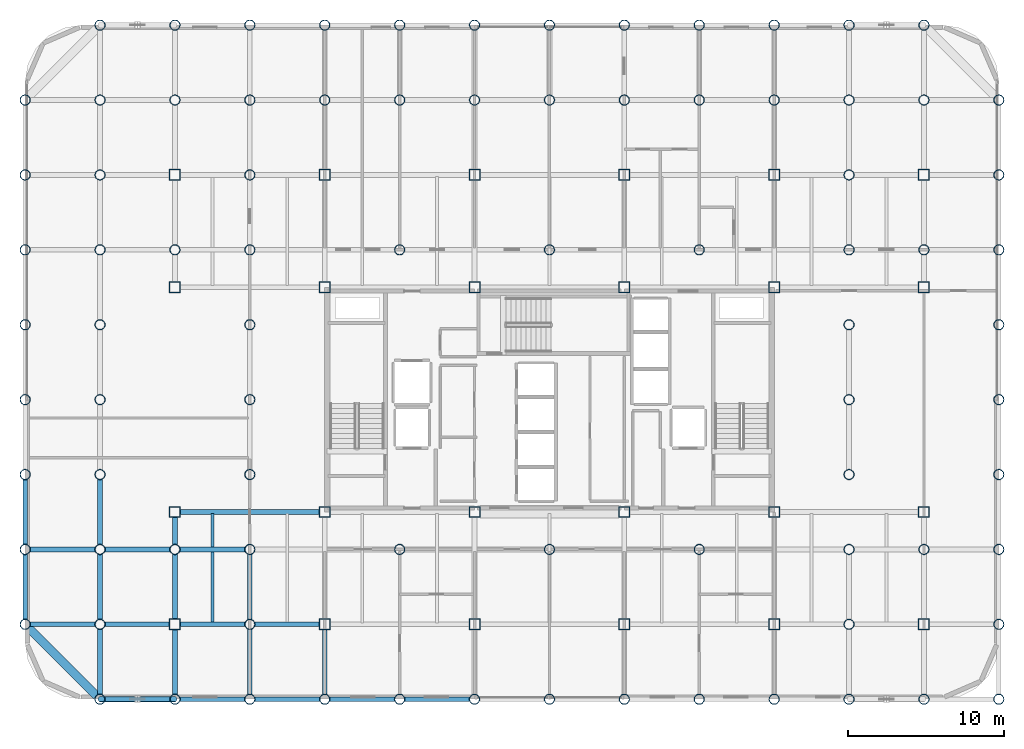
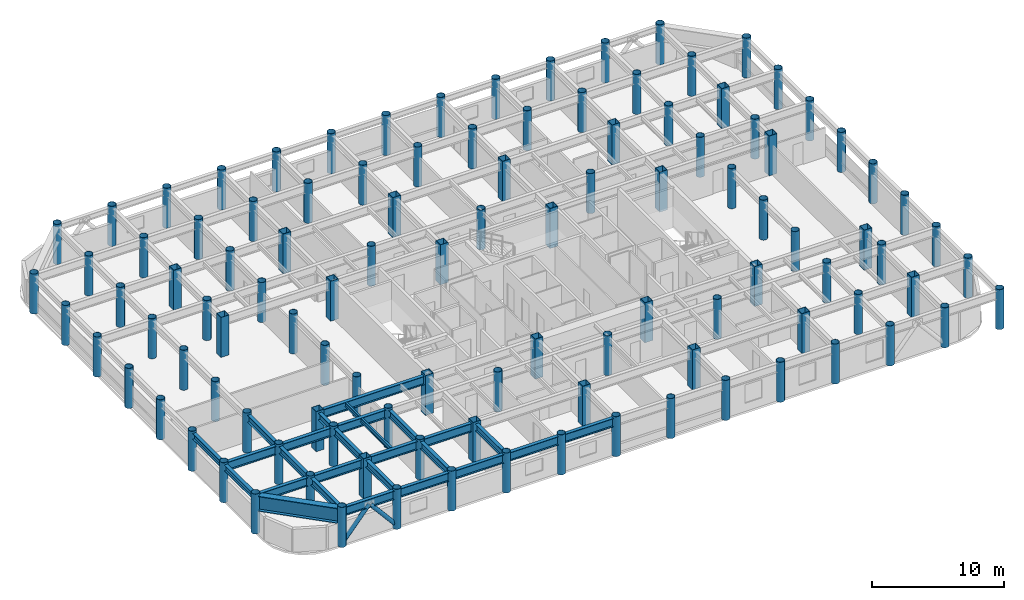
# One storey, part 1 of 20: 108 columns, 26 beams, 2 members.
"""IFC4 building model written with IfcOpenShell, lengths in metres."""

from ifc_helpers import new_model, si_unit, direction, frame, origin, origin_2d, place, context, subcontext, project, spatial, hollow_rectangle, hollow_circle, i_section, extrude, material, material_profile, profile_set, type_object, element, save


model = new_model("IFC4")

# Units and contexts
model_context = context("Model", 3, precision=1e-05, world=origin(), true_north=direction((0.0, 1.0)))
body_context = subcontext(model_context, "Body", "Model", "MODEL_VIEW")
ifc_project = project(units=[si_unit("LENGTHUNIT", "METRE"), si_unit("AREAUNIT", "SQUARE_METRE"), si_unit("VOLUMEUNIT", "CUBIC_METRE"), si_unit("PLANEANGLEUNIT", "RADIAN"), si_unit("MASSUNIT", "GRAM", prefix="KILO")], contexts=[model_context])

# Site, building, storey
site_placement = place(None, origin())
site = spatial("IfcSite", under=ifc_project, at=site_placement, CompositionType="ELEMENT")
building_placement = place(site_placement, origin())
building = spatial("IfcBuilding", under=site, at=building_placement, Name="Kallvorn Hotel Tower", CompositionType="ELEMENT")
storey_placement = place(building_placement, frame((0.0, 0.0, 135.89990234375)))
storey = spatial("IfcBuildingStorey", under=building, at=storey_placement, Name="L33", CompositionType="ELEMENT", Elevation=135.89990234375)

# Columns
ifc_material_1 = material(Name="Structural steel S355J2H", Category="steel")
ifc_material_profile_1 = material_profile(ifc_material_1, hollow_circle(Radius=0.330078125, WallThickness=0.028076171875, at=origin_2d()), Name="CHS 660x28")
ifc_profile_set_1 = profile_set([ifc_material_profile_1], Name="Structural steel S355J2H")
column_type_1 = type_object("IfcColumnType", Name="COL_CHS_660", PredefinedType="COLUMN", material=ifc_profile_set_1)
for number, where, z_axis, x_axis, name in (
    (1, (-33.60009765625, -14.39990234375, 0.0), (0.0, 0.0, 1.0), (1.0, 0.0, 0.0), "L33 Exoskeleton Column EC01"),
    (2, (-33.60009765625, -9.60009765625, 0.0), (0.0, 0.0, 1.0), (1.0, 0.0, 0.0), "L33 Exoskeleton Column EC02"),
    (3, (-33.60009765625, -4.800048828125, 0.0), (0.0, 0.0, 1.0), (1.0, 0.0, 0.0), "L33 Exoskeleton Column EC03"),
    (4, (-33.60009765625, 0.0, 0.0), (0.0, 0.0, 1.0), (1.0, 0.0, 0.0), "L33 Exoskeleton Column EC04"),
    (5, (-33.60009765625, 4.800048828125, 0.0), (0.0, 0.0, 1.0), (1.0, 0.0, 0.0), "L33 Exoskeleton Column EC05"),
    (6, (-33.60009765625, 9.60009765625, 0.0), (0.0, 0.0, 1.0), (1.0, 0.0, 0.0), "L33 Exoskeleton Column EC06"),
    (7, (-33.60009765625, 14.39990234375, 0.0), (0.0, 0.0, 1.0), (1.0, 0.0, 0.0), "L33 Exoskeleton Column EC07"),
    (8, (-33.60009765625, 19.199951171875, 0.0), (0.0, 0.0, 1.0), (1.0, 0.0, 0.0), "L33 Exoskeleton Column EC08"),
    (9, (-28.800048828125, -19.199951171875, 0.0), (0.0, 0.0, 1.0), (1.0, 0.0, 0.0), "L33 Exoskeleton Column EC09"),
    (10, (-28.800048828125, -14.39990234375, 0.0), (0.0, 0.0, 1.0), (1.0, 0.0, 0.0), "L33 Exoskeleton Column EC10"),
    (11, (-28.800048828125, -9.60009765625, 0.0), (0.0, 0.0, 1.0), (1.0, 0.0, 0.0), "L33 Exoskeleton Column EC11"),
    (12, (-28.800048828125, -4.800048828125, 0.0), (0.0, 0.0, 1.0), (1.0, 0.0, 0.0), "L33 Exoskeleton Column EC12"),
    (13, (-28.800048828125, 0.0, 0.0), (0.0, 0.0, 1.0), (1.0, 0.0, 0.0), "L33 Exoskeleton Column EC13"),
    (14, (-28.800048828125, 4.800048828125, 0.0), (0.0, 0.0, 1.0), (1.0, 0.0, 0.0), "L33 Exoskeleton Column EC14"),
    (15, (-28.800048828125, 9.60009765625, 0.0), (0.0, 0.0, 1.0), (1.0, 0.0, 0.0), "L33 Exoskeleton Column EC15"),
    (16, (-28.800048828125, 14.39990234375, 0.0), (0.0, 0.0, 1.0), (1.0, 0.0, 0.0), "L33 Exoskeleton Column EC16"),
    (17, (-28.800048828125, 19.199951171875, 0.0), (0.0, 0.0, 1.0), (1.0, 0.0, 0.0), "L33 Exoskeleton Column EC17"),
    (18, (-28.800048828125, 24.0, 0.0), (0.0, 0.0, 1.0), (1.0, 0.0, 0.0), "L33 Exoskeleton Column EC18"),
    (19, (-24.0, -19.199951171875, 0.0), (0.0, 0.0, 1.0), (1.0, 0.0, 0.0), "L33 Exoskeleton Column EC19"),
    (20, (-24.0, -9.60009765625, 0.0), (0.0, 0.0, 1.0), (1.0, 0.0, 0.0), "L33 Exoskeleton Column EC20"),
    (21, (-24.0, 9.60009765625, 0.0), (0.0, 0.0, 1.0), (1.0, 0.0, 0.0), "L33 Exoskeleton Column EC21"),
    (22, (-24.0, 19.199951171875, 0.0), (0.0, 0.0, 1.0), (1.0, 0.0, 0.0), "L33 Exoskeleton Column EC22"),
    (23, (-24.0, 24.0, 0.0), (0.0, 0.0, 1.0), (1.0, 0.0, 0.0), "L33 Exoskeleton Column EC23"),
    (24, (-19.199951171875, -19.199951171875, 0.0), (0.0, 0.0, 1.0), (1.0, 0.0, 0.0), "L33 Exoskeleton Column EC24"),
    (25, (-19.199951171875, -14.39990234375, 0.0), (0.0, 0.0, 1.0), (1.0, 0.0, 0.0), "L33 Exoskeleton Column EC25"),
    (26, (-19.199951171875, -9.60009765625, 0.0), (0.0, 0.0, 1.0), (1.0, 0.0, 0.0), "L33 Exoskeleton Column EC26"),
    (27, (-19.199951171875, -4.800048828125, 0.0), (0.0, 0.0, 1.0), (1.0, 0.0, 0.0), "L33 Exoskeleton Column EC27"),
    (28, (-19.199951171875, 0.0, 0.0), (0.0, 0.0, 1.0), (1.0, 0.0, 0.0), "L33 Exoskeleton Column EC28"),
    (29, (-19.199951171875, 4.800048828125, 0.0), (0.0, 0.0, 1.0), (1.0, 0.0, 0.0), "L33 Exoskeleton Column EC29"),
    (30, (-19.199951171875, 9.60009765625, 0.0), (0.0, 0.0, 1.0), (1.0, 0.0, 0.0), "L33 Exoskeleton Column EC30"),
    (31, (-19.199951171875, 14.39990234375, 0.0), (0.0, 0.0, 1.0), (1.0, 0.0, 0.0), "L33 Exoskeleton Column EC31"),
    (32, (-19.199951171875, 19.199951171875, 0.0), (0.0, 0.0, 1.0), (1.0, 0.0, 0.0), "L33 Exoskeleton Column EC32"),
    (33, (-19.199951171875, 24.0, 0.0), (0.0, 0.0, 1.0), (1.0, 0.0, 0.0), "L33 Exoskeleton Column EC33"),
    (34, (-14.39990234375, -19.199951171875, 0.0), (0.0, 0.0, 1.0), (1.0, 0.0, 0.0), "L33 Exoskeleton Column EC34"),
    (35, (-14.39990234375, 19.199951171875, 0.0), (0.0, 0.0, 1.0), (1.0, 0.0, 0.0), "L33 Exoskeleton Column EC35"),
    (36, (-14.39990234375, 24.0, 0.0), (0.0, 0.0, 1.0), (1.0, 0.0, 0.0), "L33 Exoskeleton Column EC36"),
    (37, (-9.60009765625, -19.199951171875, 0.0), (0.0, 0.0, 1.0), (1.0, 0.0, 0.0), "L33 Exoskeleton Column EC37"),
    (38, (-9.60009765625, -9.60009765625, 0.0), (0.0, 0.0, 1.0), (1.0, 0.0, 0.0), "L33 Exoskeleton Column EC38"),
    (39, (-9.60009765625, 9.60009765625, 0.0), (0.0, 0.0, 1.0), (1.0, 0.0, 0.0), "L33 Exoskeleton Column EC39"),
    (40, (-9.60009765625, 19.199951171875, 0.0), (0.0, 0.0, 1.0), (1.0, 0.0, 0.0), "L33 Exoskeleton Column EC40"),
    (41, (-9.60009765625, 24.0, 0.0), (0.0, 0.0, 1.0), (1.0, 0.0, 0.0), "L33 Exoskeleton Column EC41"),
    (42, (-4.800048828125, -19.199951171875, 0.0), (0.0, 0.0, 1.0), (1.0, 0.0, 0.0), "L33 Exoskeleton Column EC42"),
    (43, (-4.800048828125, 19.199951171875, 0.0), (0.0, 0.0, 1.0), (1.0, 0.0, 0.0), "L33 Exoskeleton Column EC43"),
    (44, (-4.800048828125, 24.0, 0.0), (0.0, 0.0, 1.0), (1.0, 0.0, 0.0), "L33 Exoskeleton Column EC44"),
    (45, (0.0, -19.199951171875, 0.0), (0.0, 0.0, 1.0), (1.0, 0.0, 0.0), "L33 Exoskeleton Column EC45"),
    (46, (0.0, -9.60009765625, 0.0), (0.0, 0.0, 1.0), (1.0, 0.0, 0.0), "L33 Exoskeleton Column EC46"),
    (47, (0.0, 9.60009765625, 0.0), (0.0, 0.0, 1.0), (1.0, 0.0, 0.0), "L33 Exoskeleton Column EC47"),
    (48, (0.0, 19.199951171875, 0.0), (0.0, 0.0, 1.0), (1.0, 0.0, 0.0), "L33 Exoskeleton Column EC48"),
    (49, (0.0, 24.0, 0.0), (0.0, 0.0, 1.0), (1.0, 0.0, 0.0), "L33 Exoskeleton Column EC49"),
    (50, (4.800048828125, -19.199951171875, 0.0), (0.0, 0.0, 1.0), (1.0, 0.0, 0.0), "L33 Exoskeleton Column EC50"),
    (51, (4.800048828125, 19.199951171875, 0.0), (0.0, 0.0, 1.0), (1.0, 0.0, 0.0), "L33 Exoskeleton Column EC51"),
    (52, (4.800048828125, 24.0, 0.0), (0.0, 0.0, 1.0), (1.0, 0.0, 0.0), "L33 Exoskeleton Column EC52"),
    (53, (9.60009765625, -19.199951171875, 0.0), (0.0, 0.0, 1.0), (1.0, 0.0, 0.0), "L33 Exoskeleton Column EC53"),
    (54, (9.60009765625, -9.60009765625, 0.0), (0.0, 0.0, 1.0), (1.0, 0.0, 0.0), "L33 Exoskeleton Column EC54"),
    (55, (9.60009765625, 9.60009765625, 0.0), (0.0, 0.0, 1.0), (1.0, 0.0, 0.0), "L33 Exoskeleton Column EC55"),
    (56, (9.60009765625, 19.199951171875, 0.0), (0.0, 0.0, 1.0), (1.0, 0.0, 0.0), "L33 Exoskeleton Column EC56"),
    (57, (9.60009765625, 24.0, 0.0), (0.0, 0.0, 1.0), (1.0, 0.0, 0.0), "L33 Exoskeleton Column EC57"),
    (58, (14.39990234375, -19.199951171875, 0.0), (0.0, 0.0, 1.0), (1.0, 0.0, 0.0), "L33 Exoskeleton Column EC58"),
    (59, (14.39990234375, 19.199951171875, 0.0), (0.0, 0.0, 1.0), (1.0, 0.0, 0.0), "L33 Exoskeleton Column EC59"),
    (60, (14.39990234375, 24.0, 0.0), (0.0, 0.0, 1.0), (1.0, 0.0, 0.0), "L33 Exoskeleton Column EC60"),
    (61, (19.199951171875, -19.199951171875, 0.0), (0.0, 0.0, 1.0), (1.0, 0.0, 0.0), "L33 Exoskeleton Column EC61"),
    (62, (19.199951171875, -14.39990234375, 0.0), (0.0, 0.0, 1.0), (1.0, 0.0, 0.0), "L33 Exoskeleton Column EC62"),
    (63, (19.199951171875, -9.60009765625, 0.0), (0.0, 0.0, 1.0), (1.0, 0.0, 0.0), "L33 Exoskeleton Column EC63"),
    (64, (19.199951171875, -4.800048828125, 0.0), (0.0, 0.0, 1.0), (1.0, 0.0, 0.0), "L33 Exoskeleton Column EC64"),
    (65, (19.199951171875, 0.0, 0.0), (0.0, 0.0, 1.0), (1.0, 0.0, 0.0), "L33 Exoskeleton Column EC65"),
    (66, (19.199951171875, 4.800048828125, 0.0), (0.0, 0.0, 1.0), (1.0, 0.0, 0.0), "L33 Exoskeleton Column EC66"),
    (67, (19.199951171875, 9.60009765625, 0.0), (0.0, 0.0, 1.0), (1.0, 0.0, 0.0), "L33 Exoskeleton Column EC67"),
    (68, (19.199951171875, 14.39990234375, 0.0), (0.0, 0.0, 1.0), (1.0, 0.0, 0.0), "L33 Exoskeleton Column EC68"),
    (69, (19.199951171875, 19.199951171875, 0.0), (0.0, 0.0, 1.0), (1.0, 0.0, 0.0), "L33 Exoskeleton Column EC69"),
    (70, (19.199951171875, 24.0, 0.0), (0.0, 0.0, 1.0), (1.0, 0.0, 0.0), "L33 Exoskeleton Column EC70"),
    (71, (24.0, -19.199951171875, 0.0), (0.0, 0.0, 1.0), (1.0, 0.0, 0.0), "L33 Exoskeleton Column EC71"),
    (72, (24.0, -9.60009765625, 0.0), (0.0, 0.0, 1.0), (1.0, 0.0, 0.0), "L33 Exoskeleton Column EC72"),
    (73, (24.0, 9.60009765625, 0.0), (0.0, 0.0, 1.0), (1.0, 0.0, 0.0), "L33 Exoskeleton Column EC73"),
    (74, (24.0, 19.199951171875, 0.0), (0.0, 0.0, 1.0), (1.0, 0.0, 0.0), "L33 Exoskeleton Column EC74"),
    (75, (24.0, 24.0, 0.0), (0.0, 0.0, 1.0), (1.0, 0.0, 0.0), "L33 Exoskeleton Column EC75"),
    (76, (28.800048828125, -19.199951171875, 0.0), (0.0, 0.0, 1.0), (1.0, 0.0, 0.0), "L33 Exoskeleton Column EC76"),
    (77, (28.800048828125, -14.39990234375, 0.0), (0.0, 0.0, 1.0), (1.0, 0.0, 0.0), "L33 Exoskeleton Column EC77"),
    (78, (28.800048828125, -9.60009765625, 0.0), (0.0, 0.0, 1.0), (1.0, 0.0, 0.0), "L33 Exoskeleton Column EC78"),
    (79, (28.800048828125, -4.800048828125, 0.0), (0.0, 0.0, 1.0), (1.0, 0.0, 0.0), "L33 Exoskeleton Column EC79"),
    (80, (28.800048828125, 0.0, 0.0), (0.0, 0.0, 1.0), (1.0, 0.0, 0.0), "L33 Exoskeleton Column EC80"),
    (81, (28.800048828125, 4.800048828125, 0.0), (0.0, 0.0, 1.0), (1.0, 0.0, 0.0), "L33 Exoskeleton Column EC81"),
    (82, (28.800048828125, 9.60009765625, 0.0), (0.0, 0.0, 1.0), (1.0, 0.0, 0.0), "L33 Exoskeleton Column EC82"),
    (83, (28.800048828125, 14.39990234375, 0.0), (0.0, 0.0, 1.0), (1.0, 0.0, 0.0), "L33 Exoskeleton Column EC83"),
    (84, (28.800048828125, 19.199951171875, 0.0), (0.0, 0.0, 1.0), (1.0, 0.0, 0.0), "L33 Exoskeleton Column EC84"),
):
    element("IfcColumn", number, at=place(storey_placement, frame(where, z_axis=z_axis, x_axis=x_axis)), inside=storey, type_object=column_type_1, Name=name, PredefinedType="COLUMN", context=body_context, shape_type="SweptSolid", body=[
        extrude(hollow_circle(Radius=0.330078125, WallThickness=0.028076171875, at=origin_2d()), origin(), (0.0, 0.0, 1.0), 3.7001953125),
    ])
ifc_material_2 = material(Name="Structural steel S355J2H", Category="steel")
ifc_material_profile_2 = material_profile(ifc_material_2, hollow_rectangle(XDim=0.699951171875, YDim=0.699951171875, WallThickness=0.031982421875, at=origin_2d()), Name="RHS 700x700x32")
ifc_profile_set_2 = profile_set([ifc_material_profile_2], Name="Structural steel S355J2H")
column_type_2 = type_object("IfcColumnType", Name="COL_RHS_700", PredefinedType="COLUMN", material=ifc_profile_set_2)
for number, where, z_axis, x_axis, name in (
    (85, (-24.0, -14.39990234375, 0.0), (0.0, 0.0, 1.0), (1.0, 0.0, 0.0), "L33 Inner Column IC01"),
    (86, (-24.0, -7.199951171875, 0.0), (0.0, 0.0, 1.0), (1.0, 0.0, 0.0), "L33 Inner Column IC02"),
    (87, (-24.0, 7.199951171875, 0.0), (0.0, 0.0, 1.0), (1.0, 0.0, 0.0), "L33 Inner Column IC03"),
    (88, (-24.0, 14.39990234375, 0.0), (0.0, 0.0, 1.0), (1.0, 0.0, 0.0), "L33 Inner Column IC04"),
    (89, (-14.39990234375, -14.39990234375, 0.0), (0.0, 0.0, 1.0), (1.0, 0.0, 0.0), "L33 Inner Column IC05"),
    (90, (-14.39990234375, -7.199951171875, 0.0), (0.0, 0.0, 1.0), (1.0, 0.0, 0.0), "L33 Inner Column IC06"),
    (91, (-14.39990234375, 7.199951171875, 0.0), (0.0, 0.0, 1.0), (1.0, 0.0, 0.0), "L33 Inner Column IC07"),
    (92, (-14.39990234375, 14.39990234375, 0.0), (0.0, 0.0, 1.0), (1.0, 0.0, 0.0), "L33 Inner Column IC08"),
    (93, (-4.800048828125, -14.39990234375, 0.0), (0.0, 0.0, 1.0), (1.0, 0.0, 0.0), "L33 Inner Column IC09"),
    (94, (-4.800048828125, -7.199951171875, 0.0), (0.0, 0.0, 1.0), (1.0, 0.0, 0.0), "L33 Inner Column IC10"),
    (95, (-4.800048828125, 7.199951171875, 0.0), (0.0, 0.0, 1.0), (1.0, 0.0, 0.0), "L33 Inner Column IC11"),
    (96, (-4.800048828125, 14.39990234375, 0.0), (0.0, 0.0, 1.0), (1.0, 0.0, 0.0), "L33 Inner Column IC12"),
    (97, (4.800048828125, -14.39990234375, 0.0), (0.0, 0.0, 1.0), (1.0, 0.0, 0.0), "L33 Inner Column IC13"),
    (98, (4.800048828125, -7.199951171875, 0.0), (0.0, 0.0, 1.0), (1.0, 0.0, 0.0), "L33 Inner Column IC14"),
    (99, (4.800048828125, 7.199951171875, 0.0), (0.0, 0.0, 1.0), (1.0, 0.0, 0.0), "L33 Inner Column IC15"),
    (100, (4.800048828125, 14.39990234375, 0.0), (0.0, 0.0, 1.0), (1.0, 0.0, 0.0), "L33 Inner Column IC16"),
    (101, (14.39990234375, -14.39990234375, 0.0), (0.0, 0.0, 1.0), (1.0, 0.0, 0.0), "L33 Inner Column IC17"),
    (102, (14.39990234375, -7.199951171875, 0.0), (0.0, 0.0, 1.0), (1.0, 0.0, 0.0), "L33 Inner Column IC18"),
    (103, (14.39990234375, 7.199951171875, 0.0), (0.0, 0.0, 1.0), (1.0, 0.0, 0.0), "L33 Inner Column IC19"),
    (104, (14.39990234375, 14.39990234375, 0.0), (0.0, 0.0, 1.0), (1.0, 0.0, 0.0), "L33 Inner Column IC20"),
    (105, (24.0, -14.39990234375, 0.0), (0.0, 0.0, 1.0), (1.0, 0.0, 0.0), "L33 Inner Column IC21"),
    (106, (24.0, -7.199951171875, 0.0), (0.0, 0.0, 1.0), (1.0, 0.0, 0.0), "L33 Inner Column IC22"),
    (107, (24.0, 7.199951171875, 0.0), (0.0, 0.0, 1.0), (1.0, 0.0, 0.0), "L33 Inner Column IC23"),
    (108, (24.0, 14.39990234375, 0.0), (0.0, 0.0, 1.0), (1.0, 0.0, 0.0), "L33 Inner Column IC24"),
):
    element("IfcColumn", number, at=place(storey_placement, frame(where, z_axis=z_axis, x_axis=x_axis)), inside=storey, type_object=column_type_2, Name=name, PredefinedType="COLUMN", context=body_context, shape_type="SweptSolid", body=[
        extrude(hollow_rectangle(XDim=0.699951171875, YDim=0.699951171875, WallThickness=0.031982421875, at=origin_2d()), origin(), (0.0, 0.0, 1.0), 3.7001953125),
    ])

# Beams
ifc_material_3 = material(Name="Structural steel S355JR", Category="steel")
ifc_material_profile_3 = material_profile(ifc_material_3, i_section(OverallWidth=0.300048828125, OverallDepth=0.550048828125, WebThickness=0.014892578125, FlangeThickness=0.029052734375, at=origin_2d()), Name="HE 550 B")
ifc_profile_set_3 = profile_set([ifc_material_profile_3], Name="Structural steel S355JR")
beam_type_1 = type_object("IfcBeamType", Name="BM_HE550B", PredefinedType="SPANDREL", material=ifc_profile_set_3)
beam_1_placement = place(storey_placement, frame((-33.60009765625, -14.080078125, 3.2451171875), z_axis=(0.0, 1.0, 0.0), x_axis=(-1.0, 0.0, 0.0)))
element("IfcBeam", 109, at=beam_1_placement, inside=storey, type_object=beam_type_1, Name="L34 Perimeter Spandrel 174", PredefinedType="SPANDREL", context=body_context, shape_type="SweptSolid", body=[
    extrude(i_section(OverallWidth=0.300048828125, OverallDepth=0.550048828125, WebThickness=0.014892578125, FlangeThickness=0.029052734375, at=origin_2d()), origin(), (0.0, 0.0, 1.0), 4.16015625),
])
beam_2_placement = place(storey_placement, frame((-33.60009765625, -9.280029296875, 3.2451171875), z_axis=(0.0, 1.0, 0.0), x_axis=(-1.0, 0.0, 0.0)))
element("IfcBeam", 110, at=beam_2_placement, inside=storey, type_object=beam_type_1, Name="L34 Perimeter Spandrel 175", PredefinedType="SPANDREL", context=body_context, shape_type="SweptSolid", body=[
    extrude(i_section(OverallWidth=0.300048828125, OverallDepth=0.550048828125, WebThickness=0.014892578125, FlangeThickness=0.029052734375, at=origin_2d()), origin(), (0.0, 0.0, 1.0), 4.159912109375),
])
ifc_material_4 = material(Name="Structural steel S355JR", Category="steel")
ifc_material_profile_4 = material_profile(ifc_material_4, i_section(OverallWidth=0.300048828125, OverallDepth=0.64990234375, WebThickness=0.01611328125, FlangeThickness=0.031005859375, at=origin_2d()), Name="HE 650 B")
ifc_profile_set_4 = profile_set([ifc_material_profile_4], Name="Structural steel S355JR")
beam_type_2 = type_object("IfcBeamType", Name="BM_HE650B", PredefinedType="BEAM", material=ifc_profile_set_4)
for number, where, z_axis, x_axis, name in (
    (111, (-28.800048828125, -18.89501953125, 3.195068359375), (0.0, 1.0, 0.0), (-1.0, 0.0, 0.0), "L34 Primary Y-Girder 73"),
    (112, (-28.800048828125, -14.094970703125, 3.195068359375), (0.0, 1.0, 0.0), (-1.0, 0.0, 0.0), "L34 Primary Y-Girder 74"),
    (113, (-28.800048828125, -9.294921875, 3.195068359375), (0.0, 1.0, 0.0), (-1.0, 0.0, 0.0), "L34 Primary Y-Girder 75"),
):
    element("IfcBeam", number, at=place(storey_placement, frame(where, z_axis=z_axis, x_axis=x_axis)), inside=storey, type_object=beam_type_2, Name=name, PredefinedType="BEAM", context=body_context, shape_type="SweptSolid", body=[
        extrude(i_section(OverallWidth=0.300048828125, OverallDepth=0.64990234375, WebThickness=0.01611328125, FlangeThickness=0.031005859375, at=origin_2d()), origin(), (0.0, 0.0, 1.0), 4.18994140625),
    ])
for number, where, z_axis, x_axis, name in (
    (114, (-24.0, -18.89501953125, 3.195068359375), (0.0, 1.0, 0.0), (-1.0, 0.0, 0.0), "L34 Primary Y-Girder 82"),
    (115, (-24.0, -14.074951171875, 3.195068359375), (0.0, 1.0, 0.0), (-1.0, 0.0, 0.0), "L34 Primary Y-Girder 83"),
):
    element("IfcBeam", number, at=place(storey_placement, frame(where, z_axis=z_axis, x_axis=x_axis)), inside=storey, type_object=beam_type_2, Name=name, PredefinedType="BEAM", context=body_context, shape_type="SweptSolid", body=[
        extrude(i_section(OverallWidth=0.300048828125, OverallDepth=0.64990234375, WebThickness=0.01611328125, FlangeThickness=0.031005859375, at=origin_2d()), origin(), (0.0, 0.0, 1.0), 4.169921875),
    ])
beam_3_placement = place(storey_placement, frame((-24.0, -9.294921875, 3.195068359375), z_axis=(0.0, 1.0, 0.0), x_axis=(-1.0, 0.0, 0.0)))
element("IfcBeam", 116, at=beam_3_placement, inside=storey, type_object=beam_type_2, Name="L34 Primary Y-Girder 84", PredefinedType="BEAM", context=body_context, shape_type="SweptSolid", body=[
    extrude(i_section(OverallWidth=0.300048828125, OverallDepth=0.64990234375, WebThickness=0.01611328125, FlangeThickness=0.031005859375, at=origin_2d()), origin(), (0.0, 0.0, 1.0), 1.77001953125),
])
for number, where, z_axis, x_axis, name in (
    (117, (-19.199951171875, -18.89501953125, 3.195068359375), (0.0, 1.0, 0.0), (-1.0, 0.0, 0.0), "L34 Primary Y-Girder 89"),
    (118, (-19.199951171875, -14.094970703125, 3.195068359375), (0.0, 1.0, 0.0), (-1.0, 0.0, 0.0), "L34 Primary Y-Girder 90"),
):
    element("IfcBeam", number, at=place(storey_placement, frame(where, z_axis=z_axis, x_axis=x_axis)), inside=storey, type_object=beam_type_2, Name=name, PredefinedType="BEAM", context=body_context, shape_type="SweptSolid", body=[
        extrude(i_section(OverallWidth=0.300048828125, OverallDepth=0.64990234375, WebThickness=0.01611328125, FlangeThickness=0.031005859375, at=origin_2d()), origin(), (0.0, 0.0, 1.0), 4.18994140625),
    ])
beam_4_placement = place(storey_placement, frame((-14.39990234375, -18.89501953125, 3.195068359375), z_axis=(0.0, 1.0, 0.0), x_axis=(-1.0, 0.0, 0.0)))
element("IfcBeam", 119, at=beam_4_placement, inside=storey, type_object=beam_type_2, Name="L34 Primary Y-Girder 98", PredefinedType="BEAM", context=body_context, shape_type="SweptSolid", body=[
    extrude(i_section(OverallWidth=0.300048828125, OverallDepth=0.64990234375, WebThickness=0.01611328125, FlangeThickness=0.031005859375, at=origin_2d()), origin(), (0.0, 0.0, 1.0), 4.169921875),
])
ifc_material_5 = material(Name="Structural steel S355JR", Category="steel")
ifc_material_profile_5 = material_profile(ifc_material_5, i_section(OverallWidth=0.300048828125, OverallDepth=0.800048828125, WebThickness=0.017578125, FlangeThickness=0.032958984375, at=origin_2d()), Name="HE 800 B")
ifc_profile_set_5 = profile_set([ifc_material_profile_5], Name="Structural steel S355JR")
beam_type_3 = type_object("IfcBeamType", Name="BM_HE800B", PredefinedType="BEAM", material=ifc_profile_set_5)
for number, where, z_axis, x_axis, name in (
    (120, (-28.4951171875, -19.199951171875, 3.1201171875), (1.0, 0.0, 0.0), (0.0, 1.0, 0.0), "L34 Primary X-Girder 01"),
    (121, (-23.695068359375, -19.199951171875, 3.1201171875), (1.0, 0.0, 0.0), (0.0, 1.0, 0.0), "L34 Primary X-Girder 02"),
):
    element("IfcBeam", number, at=place(storey_placement, frame(where, z_axis=z_axis, x_axis=x_axis)), inside=storey, type_object=beam_type_3, Name=name, PredefinedType="BEAM", context=body_context, shape_type="SweptSolid", body=[
        extrude(i_section(OverallWidth=0.300048828125, OverallDepth=0.800048828125, WebThickness=0.017578125, FlangeThickness=0.032958984375, at=origin_2d()), origin(), (0.0, 0.0, 1.0), 4.190185546875),
    ])
for number, where, z_axis, x_axis, name in (
    (122, (-18.89501953125, -19.199951171875, 3.1201171875), (1.0, 0.0, 0.0), (0.0, 1.0, 0.0), "L34 Primary X-Girder 03"),
    (123, (-14.094970703125, -19.199951171875, 3.1201171875), (1.0, 0.0, 0.0), (0.0, 1.0, 0.0), "L34 Primary X-Girder 04"),
    (124, (-9.294921875, -19.199951171875, 3.1201171875), (1.0, 0.0, 0.0), (0.0, 1.0, 0.0), "L34 Primary X-Girder 05"),
    (125, (-33.294921875, -14.39990234375, 3.1201171875), (1.0, 0.0, 0.0), (0.0, 1.0, 0.0), "L34 Primary X-Girder 13"),
):
    element("IfcBeam", number, at=place(storey_placement, frame(where, z_axis=z_axis, x_axis=x_axis)), inside=storey, type_object=beam_type_3, Name=name, PredefinedType="BEAM", context=body_context, shape_type="SweptSolid", body=[
        extrude(i_section(OverallWidth=0.300048828125, OverallDepth=0.800048828125, WebThickness=0.017578125, FlangeThickness=0.032958984375, at=origin_2d()), origin(), (0.0, 0.0, 1.0), 4.18994140625),
    ])
for number, where, z_axis, x_axis, name in (
    (126, (-28.4951171875, -14.39990234375, 3.1201171875), (1.0, 0.0, 0.0), (0.0, 1.0, 0.0), "L34 Primary X-Girder 14"),
    (127, (-23.675048828125, -14.39990234375, 3.1201171875), (1.0, 0.0, 0.0), (0.0, 1.0, 0.0), "L34 Primary X-Girder 15"),
):
    element("IfcBeam", number, at=place(storey_placement, frame(where, z_axis=z_axis, x_axis=x_axis)), inside=storey, type_object=beam_type_3, Name=name, PredefinedType="BEAM", context=body_context, shape_type="SweptSolid", body=[
        extrude(i_section(OverallWidth=0.300048828125, OverallDepth=0.800048828125, WebThickness=0.017578125, FlangeThickness=0.032958984375, at=origin_2d()), origin(), (0.0, 0.0, 1.0), 4.170166015625),
    ])
beam_5_placement = place(storey_placement, frame((-18.89501953125, -14.39990234375, 3.1201171875), z_axis=(1.0, 0.0, 0.0), x_axis=(0.0, 1.0, 0.0)))
element("IfcBeam", 128, at=beam_5_placement, inside=storey, type_object=beam_type_3, Name="L34 Primary X-Girder 16", PredefinedType="BEAM", context=body_context, shape_type="SweptSolid", body=[
    extrude(i_section(OverallWidth=0.300048828125, OverallDepth=0.800048828125, WebThickness=0.017578125, FlangeThickness=0.032958984375, at=origin_2d()), origin(), (0.0, 0.0, 1.0), 4.169921875),
])
beam_6_placement = place(storey_placement, frame((-33.294921875, -9.60009765625, 3.1201171875), z_axis=(1.0, 0.0, 0.0), x_axis=(0.0, 1.0, 0.0)))
element("IfcBeam", 129, at=beam_6_placement, inside=storey, type_object=beam_type_3, Name="L34 Primary X-Girder 23", PredefinedType="BEAM", context=body_context, shape_type="SweptSolid", body=[
    extrude(i_section(OverallWidth=0.300048828125, OverallDepth=0.800048828125, WebThickness=0.017578125, FlangeThickness=0.032958984375, at=origin_2d()), origin(), (0.0, 0.0, 1.0), 4.18994140625),
])
for number, where, z_axis, x_axis, name in (
    (130, (-28.4951171875, -9.60009765625, 3.1201171875), (1.0, 0.0, 0.0), (0.0, 1.0, 0.0), "L34 Primary X-Girder 24"),
    (131, (-23.695068359375, -9.60009765625, 3.1201171875), (1.0, 0.0, 0.0), (0.0, 1.0, 0.0), "L34 Primary X-Girder 25"),
):
    element("IfcBeam", number, at=place(storey_placement, frame(where, z_axis=z_axis, x_axis=x_axis)), inside=storey, type_object=beam_type_3, Name=name, PredefinedType="BEAM", context=body_context, shape_type="SweptSolid", body=[
        extrude(i_section(OverallWidth=0.300048828125, OverallDepth=0.800048828125, WebThickness=0.017578125, FlangeThickness=0.032958984375, at=origin_2d()), origin(), (0.0, 0.0, 1.0), 4.190185546875),
    ])
beam_7_placement = place(storey_placement, frame((-23.675048828125, -7.199951171875, 3.1201171875), z_axis=(1.0, 0.0, 0.0), x_axis=(0.0, 1.0, 0.0)))
element("IfcBeam", 132, at=beam_7_placement, inside=storey, type_object=beam_type_3, Name="L34 Primary X-Girder 32", PredefinedType="BEAM", context=body_context, shape_type="SweptSolid", body=[
    extrude(i_section(OverallWidth=0.300048828125, OverallDepth=0.800048828125, WebThickness=0.017578125, FlangeThickness=0.032958984375, at=origin_2d()), origin(), (0.0, 0.0, 1.0), 8.949951171875),
])
ifc_material_6 = material(Name="Structural steel S355JR", Category="steel")
ifc_material_profile_6 = material_profile(ifc_material_6, i_section(OverallWidth=0.179931640625, OverallDepth=0.39990234375, WebThickness=0.008544921875, FlangeThickness=0.013427734375, at=origin_2d()), Name="IPE 400")
ifc_profile_set_6 = profile_set([ifc_material_profile_6], Name="Structural steel S355JR")
beam_type_4 = type_object("IfcBeamType", Name="BM_IPE400", PredefinedType="JOIST", material=ifc_profile_set_6)
beam_8_placement = place(storey_placement, frame((-21.60009765625, -14.300048828125, 3.320068359375), z_axis=(0.0, 1.0, 0.0), x_axis=(-1.0, 0.0, 0.0)))
element("IfcBeam", 133, at=beam_8_placement, inside=storey, type_object=beam_type_4, Name="L34 Secondary Composite Joist 192", PredefinedType="JOIST", context=body_context, shape_type="SweptSolid", body=[
    extrude(i_section(OverallWidth=0.179931640625, OverallDepth=0.39990234375, WebThickness=0.008544921875, FlangeThickness=0.013427734375, at=origin_2d()), origin(), (0.0, 0.0, 1.0), 7.0),
])
ifc_material_7 = material(Name="Structural steel S355JR", Category="steel")
ifc_material_profile_7 = material_profile(ifc_material_7, i_section(OverallWidth=0.550048828125, OverallDepth=1.39990234375, WebThickness=0.02490234375, FlangeThickness=0.044921875, at=origin_2d()), Name="PG 1400x550x25x45")
ifc_profile_set_7 = profile_set([ifc_material_profile_7], Name="Structural steel S355JR")
beam_type_5 = type_object("IfcBeamType", Name="BM_PG_1400", PredefinedType="BEAM", material=ifc_profile_set_7)
beam_9_placement = place(storey_placement, frame((-33.373779296875, -14.626220703125, 2.820068359375), z_axis=(0.707106781187, -0.707106781187, 0.0), x_axis=(0.707106781187, 0.707106781187, 0.0)))
element("IfcBeam", 134, at=beam_9_placement, inside=storey, type_object=beam_type_5, Name="L34 Rounded Corner Tie Beam 189", PredefinedType="BEAM", context=body_context, shape_type="SweptSolid", body=[
    extrude(i_section(OverallWidth=0.550048828125, OverallDepth=1.39990234375, WebThickness=0.02490234375, FlangeThickness=0.044921875, at=origin_2d()), origin(), (0.0, 0.0, 1.0), 6.148193359375),
])

# Members
ifc_material_8 = material(Name="Structural steel S355J2H", Category="steel")
ifc_material_profile_8 = material_profile(ifc_material_8, hollow_circle(Radius=0.177734375, WallThickness=0.01416015625, at=origin_2d()), Name="CHS 355.6x14.2")
ifc_profile_set_8 = profile_set([ifc_material_profile_8], Name="Structural steel S355J2H")
member_type = type_object("IfcMemberType", Name="MBR_EXO_CHS355", PredefinedType="BRACE", material=ifc_profile_set_8)
for number, where, z_axis, x_axis, name in (
    (135, (-28.787109375, -19.199951171875, 0.1953125), (0.646800487591, 0.0, 0.762659248453), (0.0, 1.0, 0.0), "L33 Exoskeleton K-Brace S1A"),
    (136, (-24.012939453125, -19.199951171875, 0.1953125), (-0.646800487591, 0.0, 0.762659248453), (0.0, -1.0, 0.0), "L33 Exoskeleton K-Brace S1B"),
):
    element("IfcMember", number, at=place(storey_placement, frame(where, z_axis=z_axis, x_axis=x_axis)), inside=storey, type_object=member_type, Name=name, PredefinedType="BRACE", context=body_context, shape_type="SweptSolid", body=[
        extrude(hollow_circle(Radius=0.177734375, WallThickness=0.01416015625, at=origin_2d()), origin(), (0.0, 0.0, 1.0), 3.6708984375),
    ])

save(model, "model.ifc")
